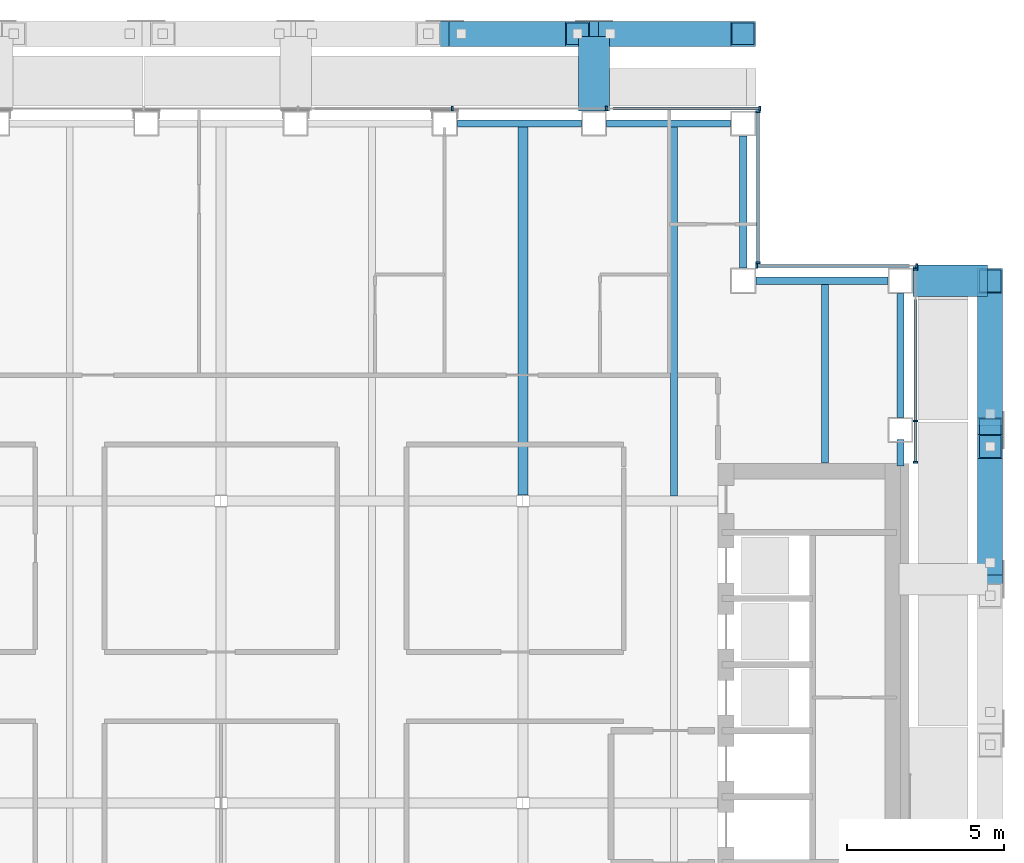
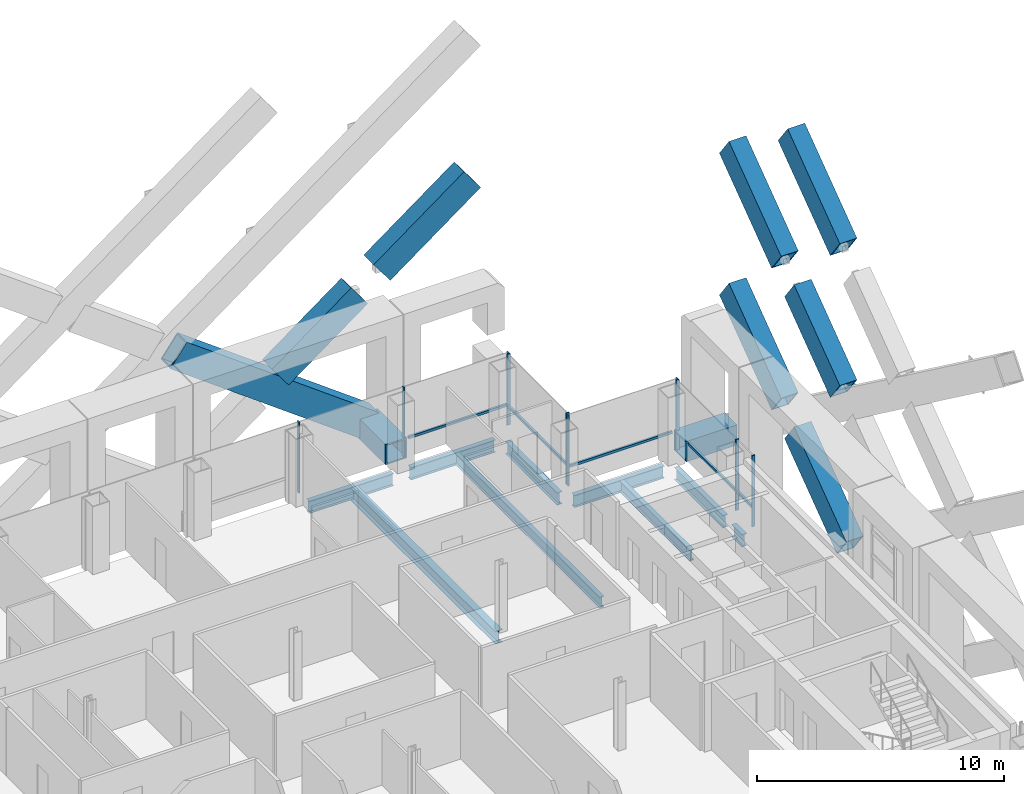
# One storey, part 11 of 25: 23 members, 11 beams, 4 elements without a shape of their own.
"""IFC4 building model written with IfcOpenShell, lengths in metres."""

from ifc_helpers import new_model, si_unit, direction, frame, origin, origin_2d, place, context, subcontext, project, spatial, rectangle, hollow_rectangle, i_section, extrude, material, material_profile, profile_set, type_object, element, aggregate, save


model = new_model("IFC4")

# Units and contexts
model_context = context("Model", 3, precision=1e-05, world=origin(), true_north=direction((0.0, 1.0)))
body_context = subcontext(model_context, "Body", "Model", "MODEL_VIEW")
ifc_project = project(units=[si_unit("LENGTHUNIT", "METRE"), si_unit("AREAUNIT", "SQUARE_METRE"), si_unit("VOLUMEUNIT", "CUBIC_METRE"), si_unit("PLANEANGLEUNIT", "RADIAN"), si_unit("MASSUNIT", "GRAM", prefix="KILO")], contexts=[model_context])

# Site, building, storey
site_placement = place(None, origin())
site = spatial("IfcSite", under=ifc_project, at=site_placement, CompositionType="ELEMENT")
building_placement = place(site_placement, origin())
building = spatial("IfcBuilding", under=site, at=building_placement, Name="Cobrizo Arcos Hotel Tower", CompositionType="ELEMENT")
storey_placement = place(building_placement, frame((0.0, 0.0, 148.0)))
storey = spatial("IfcBuildingStorey", under=building, at=storey_placement, Name="L37", CompositionType="ELEMENT", Elevation=148.0)

# Beams
ifc_material_1 = material(Name="Steel ASTM A572 Grade 50", Category="steel")
ifc_material_profile_1 = material_profile(ifc_material_1, hollow_rectangle(XDim=1.0, YDim=1.0, WallThickness=0.06005859375, at=origin_2d()), Name="BOX 1000X1000X60")
ifc_profile_set_1 = profile_set([ifc_material_profile_1], Name="Steel ASTM A572 Grade 50")
beam_type_1 = type_object("IfcBeamType", Name="BOX 1000X1000X60 brace connector strut", PredefinedType="BEAM", material=ifc_profile_set_1)
for number, where, z_axis, x_axis, name in (
    (1, (11.857177734375, 21.989990234375, 0.5), (0.0, 1.0, 0.0), (-1.0, 0.0, 0.0), "Perimeter brace stub BS1, zone Z3, north face, offset +11.86 m, L37"),
    (2, (21.989990234375, 16.60009765625, 0.5), (1.0, 0.0, 0.0), (0.0, 1.0, 0.0), "Perimeter brace stub BS1, zone Z3, east face, offset +16.60 m, L37"),
):
    element("IfcBeam", number, at=place(storey_placement, frame(where, z_axis=z_axis, x_axis=x_axis)), inside=storey, type_object=beam_type_1, Name=name, PredefinedType="BEAM", context=body_context, shape_type="SweptSolid", body=[
        extrude(hollow_rectangle(XDim=1.0, YDim=1.0, WallThickness=0.06005859375, at=origin_2d()), origin(), (0.0, 0.0, 1.0), 2.380126953125),
    ])

# Members
ifc_material_profile_2 = material_profile(ifc_material_1, hollow_rectangle(XDim=0.800048828125, YDim=1.300048828125, WallThickness=0.06005859375, at=origin_2d()), Name="BOX 800X1300X60")
ifc_profile_set_2 = profile_set([ifc_material_profile_2], Name="Steel ASTM A572 Grade 50")
member_type_1 = type_object("IfcMemberType", Name="BOX 800X1300X60 perimeter brace", PredefinedType="BRACE", material=ifc_profile_set_2)
member_1_placement = place(storey_placement, frame((24.449951171875, 7.637451171875, 14.885986328125), z_axis=(0.0, 0.804623858684, 0.593784848271), x_axis=(-1.0, 0.0, 0.0)))
element("IfcMember", 3, at=member_1_placement, inside=storey, type_object=member_type_1, Name="Perimeter brace PBR3, zone Z3, east face, no. 00d", PredefinedType="BRACE", context=body_context, shape_type="SweptSolid", body=[
    extrude(hollow_rectangle(XDim=0.800048828125, YDim=1.300048828125, WallThickness=0.06005859375, at=origin_2d()), origin(), (0.0, 0.0, 1.0), 5.244384765625),
])
member_2_placement = place(storey_placement, frame((24.449951171875, 7.637451171875, 7.885986328125), z_axis=(0.0, 0.804612164142, 0.593800694943), x_axis=(-1.0, 0.0, 0.0)))
element("IfcMember", 4, at=member_2_placement, inside=storey, type_object=member_type_1, Name="Perimeter brace PBR3, zone Z3, east face, no. 02c", PredefinedType="BRACE", context=body_context, shape_type="SweptSolid", body=[
    extrude(hollow_rectangle(XDim=0.800048828125, YDim=1.300048828125, WallThickness=0.06005859375, at=origin_2d()), origin(), (0.0, 0.0, 1.0), 4.59423828125),
])
for number, where, z_axis, x_axis, name in (
    (5, (24.449951171875, 12.38037109375, 11.385986328125), (0.0, 0.804623858684, 0.593784848271), (-1.0, 0.0, 0.0), "Perimeter brace PBR3, zone Z3, east face, no. 02d"),
    (6, (24.449951171875, 7.1142578125, 0.5), (0.0, 0.804623858684, 0.593784848271), (-1.0, 0.0, 0.0), "Perimeter brace PBR3, zone Z3, east face, no. 04"),
    (7, (24.449951171875, 12.38037109375, 4.385986328125), (0.0, 0.804623858684, 0.593784848271), (-1.0, 0.0, 0.0), "Perimeter brace PBR3, zone Z3, east face, no. 04b"),
):
    element("IfcMember", number, at=place(storey_placement, frame(where, z_axis=z_axis, x_axis=x_axis)), inside=storey, type_object=member_type_1, Name=name, PredefinedType="BRACE", context=body_context, shape_type="SweptSolid", body=[
        extrude(hollow_rectangle(XDim=0.800048828125, YDim=1.300048828125, WallThickness=0.06005859375, at=origin_2d()), origin(), (0.0, 0.0, 1.0), 5.244384765625),
    ])
member_3_placement = place(storey_placement, frame((11.857177734375, 24.449951171875, 0.5), z_axis=(-0.804628681962, 0.0, 0.593778312305), x_axis=(0.0, -1.0, 0.0)))
element("IfcMember", 8, at=member_3_placement, inside=storey, type_object=member_type_1, Name="Perimeter brace PBR3, zone Z3, north face, no. 00", PredefinedType="BRACE", context=body_context, shape_type="SweptSolid", body=[
    extrude(hollow_rectangle(XDim=0.800048828125, YDim=1.300048828125, WallThickness=0.06005859375, at=origin_2d()), origin(), (0.0, 0.0, 1.0), 11.138916015625),
])
member_4_placement = place(storey_placement, frame((7.637451171875, 24.449951171875, 4.385986328125), z_axis=(0.804612164142, 0.0, 0.593800694943), x_axis=(0.0, 1.0, 0.0)))
element("IfcMember", 9, at=member_4_placement, inside=storey, type_object=member_type_1, Name="Perimeter brace PBR3, zone Z3, north face, no. 01b", PredefinedType="BRACE", context=body_context, shape_type="SweptSolid", body=[
    extrude(hollow_rectangle(XDim=0.800048828125, YDim=1.300048828125, WallThickness=0.06005859375, at=origin_2d()), origin(), (0.0, 0.0, 1.0), 4.59423828125),
])
member_5_placement = place(storey_placement, frame((12.38037109375, 24.449951171875, 7.885986328125), z_axis=(0.804623858684, 0.0, 0.593784848271), x_axis=(0.0, 1.0, 0.0)))
element("IfcMember", 10, at=member_5_placement, inside=storey, type_object=member_type_1, Name="Perimeter brace PBR3, zone Z3, north face, no. 01c", PredefinedType="BRACE", context=body_context, shape_type="SweptSolid", body=[
    extrude(hollow_rectangle(XDim=0.800048828125, YDim=1.300048828125, WallThickness=0.06005859375, at=origin_2d()), origin(), (0.0, 0.0, 1.0), 5.244384765625),
])

# Curtain wall, members
ifc_material_2 = material(Name="Aluminium 6063-T6 anodised bronze", Category="aluminium")
curtain_wall_type = type_object("IfcCurtainWallType", Name="CW-A guest facade", PredefinedType="NOTDEFINED", material=ifc_material_2)
curtain_wall_1_placement = place(storey_placement, origin())
curtain_wall_1 = element("IfcCurtainWall", 11, at=curtain_wall_1_placement, inside=storey, type_object=curtain_wall_type, Name="CW-A L37 E face", PredefinedType="NOTDEFINED")
ifc_material_profile_3 = material_profile(ifc_material_2, rectangle(XDim=0.14990234375, YDim=0.06005859375, at=origin_2d()), Name="CW-A mullion 150x60")
ifc_profile_set_3 = profile_set([ifc_material_profile_3], Name="Aluminium 6063-T6 anodised bronze")
member_type_2 = type_object("IfcMemberType", Name="CW-A mullion 150x60", PredefinedType="MULLION", material=ifc_profile_set_3)
member_6_placement = place(storey_placement, frame((22.074951171875, 10.830078125, 0.0), z_axis=(0.0, 0.0, 1.0), x_axis=(1.0, 0.0, 0.0)))
member_6 = element("IfcMember", 12, at=member_6_placement, type_object=member_type_2, Name="CW-A mullion 1", PredefinedType="MULLION", context=body_context, shape_type="SweptSolid", body=[
    extrude(rectangle(XDim=0.14990234375, YDim=0.06005859375, at=origin_2d()), origin(), (0.0, 0.0, 1.0), 3.5),
])
member_7_placement = place(storey_placement, frame((22.074951171875, 12.142822265625, 0.0), z_axis=(0.0, 0.0, 1.0), x_axis=(1.0, 0.0, 0.0)))
member_7 = element("IfcMember", 13, at=member_7_placement, type_object=member_type_2, Name="CW-A mullion 2", PredefinedType="MULLION", context=body_context, shape_type="SweptSolid", body=[
    extrude(rectangle(XDim=0.14990234375, YDim=0.06005859375, at=origin_2d()), origin(), (0.0, 0.0, 1.0), 3.5),
])
member_8_placement = place(storey_placement, frame((22.074951171875, 16.969970703125, 0.0), z_axis=(0.0, 0.0, 1.0), x_axis=(1.0, 0.0, 0.0)))
member_8 = element("IfcMember", 14, at=member_8_placement, type_object=member_type_2, Name="CW-A mullion 3", PredefinedType="MULLION", context=body_context, shape_type="SweptSolid", body=[
    extrude(rectangle(XDim=0.14990234375, YDim=0.06005859375, at=origin_2d()), origin(), (0.0, 0.0, 1.0), 3.5),
])

curtain_wall_2_placement = place(storey_placement, origin())
curtain_wall_2 = element("IfcCurtainWall", 15, at=curtain_wall_2_placement, inside=storey, type_object=curtain_wall_type, Name="CW-A L37 N face", PredefinedType="NOTDEFINED")
member_9_placement = place(storey_placement, frame((22.1201171875, 17.074951171875, 0.0), z_axis=(0.0, 0.0, 1.0), x_axis=(0.0, 1.0, 0.0)))
member_9 = element("IfcMember", 16, at=member_9_placement, type_object=member_type_2, Name="CW-A mullion 1", PredefinedType="MULLION", context=body_context, shape_type="SweptSolid", body=[
    extrude(rectangle(XDim=0.14990234375, YDim=0.06005859375, at=origin_2d()), origin(), (0.0, 0.0, 1.0), 3.5),
])
member_10_placement = place(storey_placement, frame((17.030029296875, 17.074951171875, 0.0), z_axis=(0.0, 0.0, 1.0), x_axis=(0.0, 1.0, 0.0)))
member_10 = element("IfcMember", 17, at=member_10_placement, type_object=member_type_2, Name="CW-A mullion 2", PredefinedType="MULLION", context=body_context, shape_type="SweptSolid", body=[
    extrude(rectangle(XDim=0.14990234375, YDim=0.06005859375, at=origin_2d()), origin(), (0.0, 0.0, 1.0), 3.5),
])

curtain_wall_3_placement = place(storey_placement, origin())
curtain_wall_3 = element("IfcCurtainWall", 18, at=curtain_wall_3_placement, inside=storey, type_object=curtain_wall_type, Name="CW-A L37 E face", PredefinedType="NOTDEFINED")
member_11_placement = place(storey_placement, frame((17.074951171875, 17.179931640625, 0.0), z_axis=(0.0, 0.0, 1.0), x_axis=(1.0, 0.0, 0.0)))
member_11 = element("IfcMember", 19, at=member_11_placement, type_object=member_type_2, Name="CW-A mullion 1", PredefinedType="MULLION", context=body_context, shape_type="SweptSolid", body=[
    extrude(rectangle(XDim=0.14990234375, YDim=0.06005859375, at=origin_2d()), origin(), (0.0, 0.0, 1.0), 3.5),
])
member_12_placement = place(storey_placement, frame((17.074951171875, 21.969970703125, 0.0), z_axis=(0.0, 0.0, 1.0), x_axis=(1.0, 0.0, 0.0)))
member_12 = element("IfcMember", 20, at=member_12_placement, type_object=member_type_2, Name="CW-A mullion 2", PredefinedType="MULLION", context=body_context, shape_type="SweptSolid", body=[
    extrude(rectangle(XDim=0.14990234375, YDim=0.06005859375, at=origin_2d()), origin(), (0.0, 0.0, 1.0), 3.5),
])

curtain_wall_4_placement = place(storey_placement, origin())
curtain_wall_4 = element("IfcCurtainWall", 21, at=curtain_wall_4_placement, inside=storey, type_object=curtain_wall_type, Name="CW-A L37 N face", PredefinedType="NOTDEFINED")
member_13_placement = place(storey_placement, frame((17.1201171875, 22.074951171875, 0.0), z_axis=(0.0, 0.0, 1.0), x_axis=(0.0, 1.0, 0.0)))
member_13 = element("IfcMember", 22, at=member_13_placement, type_object=member_type_2, Name="CW-A mullion 1", PredefinedType="MULLION", context=body_context, shape_type="SweptSolid", body=[
    extrude(rectangle(XDim=0.14990234375, YDim=0.06005859375, at=origin_2d()), origin(), (0.0, 0.0, 1.0), 3.5),
])
member_14_placement = place(storey_placement, frame((12.25, 22.074951171875, 0.0), z_axis=(0.0, 0.0, 1.0), x_axis=(0.0, 1.0, 0.0)))
member_14 = element("IfcMember", 23, at=member_14_placement, type_object=member_type_2, Name="CW-A mullion 2", PredefinedType="MULLION", context=body_context, shape_type="SweptSolid", body=[
    extrude(rectangle(XDim=0.14990234375, YDim=0.06005859375, at=origin_2d()), origin(), (0.0, 0.0, 1.0), 3.5),
])
member_15_placement = place(storey_placement, frame((7.35009765625, 22.074951171875, 0.0), z_axis=(0.0, 0.0, 1.0), x_axis=(0.0, 1.0, 0.0)))
member_15 = element("IfcMember", 24, at=member_15_placement, type_object=member_type_2, Name="CW-A mullion 3", PredefinedType="MULLION", context=body_context, shape_type="SweptSolid", body=[
    extrude(rectangle(XDim=0.14990234375, YDim=0.06005859375, at=origin_2d()), origin(), (0.0, 0.0, 1.0), 3.5),
])

# Member
ifc_material_profile_4 = material_profile(ifc_material_2, rectangle(XDim=0.10009765625, YDim=0.1201171875, at=origin_2d()), Name="CW-A transom 120x100")
ifc_profile_set_4 = profile_set([ifc_material_profile_4], Name="Aluminium 6063-T6 anodised bronze")
member_type_3 = type_object("IfcMemberType", Name="CW-A transom 120x100", PredefinedType="USERDEFINED", material=ifc_profile_set_4)
member_16_placement = place(storey_placement, frame((22.074951171875, 10.860107421875, 0.929931640625), z_axis=(0.0, 1.0, 0.0), x_axis=(-1.0, 0.0, 0.0)))
member_16 = element("IfcMember", 25, at=member_16_placement, type_object=member_type_3, Name="CW-A transom 1347", ObjectType="TRANSOM", PredefinedType="USERDEFINED", context=body_context, shape_type="SweptSolid", body=[
    extrude(rectangle(XDim=0.10009765625, YDim=0.1201171875, at=origin_2d()), origin(), (0.0, 0.0, 1.0), 1.252685546875),
])

member_17_placement = place(storey_placement, frame((22.074951171875, 12.1728515625, 0.929931640625), z_axis=(0.0, 1.0, 0.0), x_axis=(-1.0, 0.0, 0.0)))
member_17 = element("IfcMember", 26, at=member_17_placement, type_object=member_type_3, Name="CW-A transom 1348", ObjectType="TRANSOM", PredefinedType="USERDEFINED", context=body_context, shape_type="SweptSolid", body=[
    extrude(rectangle(XDim=0.10009765625, YDim=0.1201171875, at=origin_2d()), origin(), (0.0, 0.0, 1.0), 3.8271484375),
])

aggregate(curtain_wall_1, [member_6, member_7, member_8, member_16, member_17])

member_18_placement = place(storey_placement, frame((21.889892578125, 17.074951171875, 0.929931640625), z_axis=(-1.0, 0.0, 0.0), x_axis=(0.0, -1.0, 0.0)))
member_18 = element("IfcMember", 27, at=member_18_placement, type_object=member_type_3, Name="CW-A transom 1349", ObjectType="TRANSOM", PredefinedType="USERDEFINED", context=body_context, shape_type="SweptSolid", body=[
    extrude(rectangle(XDim=0.10009765625, YDim=0.1201171875, at=origin_2d()), origin(), (0.0, 0.0, 1.0), 4.829833984375),
])

aggregate(curtain_wall_2, [member_9, member_10, member_18])

member_19_placement = place(storey_placement, frame((17.074951171875, 17.2099609375, 0.929931640625), z_axis=(0.0, 1.0, 0.0), x_axis=(-1.0, 0.0, 0.0)))
member_19 = element("IfcMember", 28, at=member_19_placement, type_object=member_type_3, Name="CW-A transom 1350", ObjectType="TRANSOM", PredefinedType="USERDEFINED", context=body_context, shape_type="SweptSolid", body=[
    extrude(rectangle(XDim=0.10009765625, YDim=0.1201171875, at=origin_2d()), origin(), (0.0, 0.0, 1.0), 4.72998046875),
])

aggregate(curtain_wall_3, [member_11, member_12, member_19])

member_20_placement = place(storey_placement, frame((17.090087890625, 22.074951171875, 0.929931640625), z_axis=(-1.0, 0.0, 0.0), x_axis=(0.0, -1.0, 0.0)))
member_20 = element("IfcMember", 29, at=member_20_placement, type_object=member_type_3, Name="CW-A transom 1351", ObjectType="TRANSOM", PredefinedType="USERDEFINED", context=body_context, shape_type="SweptSolid", body=[
    extrude(rectangle(XDim=0.10009765625, YDim=0.1201171875, at=origin_2d()), origin(), (0.0, 0.0, 1.0), 4.633056640625),
])

aggregate(curtain_wall_4, [member_13, member_14, member_15, member_20])

# Beams
ifc_material_3 = material(Name="Steel ASTM A992 Grade 50", Category="steel")
ifc_material_profile_5 = material_profile(ifc_material_3, i_section(OverallWidth=0.209228515625, OverallDepth=0.533447265625, WebThickness=0.01025390625, FlangeThickness=0.015625, at=origin_2d()), Name="W21X62")
ifc_profile_set_5 = profile_set([ifc_material_profile_5], Name="Steel ASTM A992 Grade 50")
beam_type_2 = type_object("IfcBeamType", Name="W21X62 joist", PredefinedType="JOIST", material=ifc_profile_set_5)
beam_1_placement = place(storey_placement, frame((14.39990234375, 9.763916015625, -0.416748046875), z_axis=(0.0, 1.0, 0.0), x_axis=(-1.0, 0.0, 0.0)))
element("IfcBeam", 30, at=beam_1_placement, inside=storey, type_object=beam_type_2, Name="Floor joist J1, L37, no. 018", PredefinedType="JOIST", context=body_context, shape_type="SweptSolid", body=[
    extrude(i_section(OverallWidth=0.209228515625, OverallDepth=0.533447265625, WebThickness=0.01025390625, FlangeThickness=0.015625, at=origin_2d()), origin(), (0.0, 0.0, 1.0), 11.74609375),
])
beam_2_placement = place(storey_placement, frame((19.199951171875, 10.81005859375, -0.416748046875), z_axis=(0.0, 1.0, 0.0), x_axis=(-1.0, 0.0, 0.0)))
element("IfcBeam", 31, at=beam_2_placement, inside=storey, type_object=beam_type_2, Name="Floor joist J1, L37, no. 020", PredefinedType="JOIST", context=body_context, shape_type="SweptSolid", body=[
    extrude(i_section(OverallWidth=0.209228515625, OverallDepth=0.533447265625, WebThickness=0.01025390625, FlangeThickness=0.015625, at=origin_2d()), origin(), (0.0, 0.0, 1.0), 5.699951171875),
])
ifc_material_profile_6 = material_profile(ifc_material_3, i_section(OverallWidth=0.32763671875, OverallDepth=0.622314453125, WebThickness=0.015380859375, FlangeThickness=0.0244140625, at=origin_2d()), Name="W24X131")
ifc_profile_set_6 = profile_set([ifc_material_profile_6], Name="Steel ASTM A992 Grade 50")
beam_type_3 = type_object("IfcBeamType", Name="W24X131 girder", PredefinedType="BEAM", material=ifc_profile_set_6)
beam_3_placement = place(storey_placement, frame((9.60009765625, 9.78662109375, -0.461181640625), z_axis=(0.0, 1.0, 0.0), x_axis=(-1.0, 0.0, 0.0)))
element("IfcBeam", 32, at=beam_3_placement, inside=storey, type_object=beam_type_3, Name="Floor girder G1, L37, no. 024", PredefinedType="BEAM", context=body_context, shape_type="SweptSolid", body=[
    extrude(i_section(OverallWidth=0.32763671875, OverallDepth=0.622314453125, WebThickness=0.015380859375, FlangeThickness=0.0244140625, at=origin_2d()), origin(), (0.0, 0.0, 1.0), 11.723388671875),
])
ifc_material_profile_7 = material_profile(ifc_material_3, i_section(OverallWidth=0.228271484375, OverallDepth=0.607177734375, WebThickness=0.01123046875, FlangeThickness=0.017333984375, at=origin_2d()), Name="W24X76")
ifc_profile_set_7 = profile_set([ifc_material_profile_7], Name="Steel ASTM A992 Grade 50")
beam_type_4 = type_object("IfcBeamType", Name="W24X76 spandrel", PredefinedType="SPANDREL", material=ifc_profile_set_7)
beam_4_placement = place(storey_placement, frame((21.60009765625, 10.7099609375, -0.45361328125), z_axis=(0.0, 1.0, 0.0), x_axis=(-1.0, 0.0, 0.0)))
element("IfcBeam", 33, at=beam_4_placement, inside=storey, type_object=beam_type_4, Name="Spandrel beam W24X76, L37, no. 012", PredefinedType="SPANDREL", context=body_context, shape_type="SweptSolid", body=[
    extrude(i_section(OverallWidth=0.228271484375, OverallDepth=0.607177734375, WebThickness=0.01123046875, FlangeThickness=0.017333984375, at=origin_2d()), origin(), (0.0, 0.0, 1.0), 0.846923828125),
])
beam_5_placement = place(storey_placement, frame((21.60009765625, 12.257080078125, -0.45361328125), z_axis=(0.0, 1.0, 0.0), x_axis=(-1.0, 0.0, 0.0)))
element("IfcBeam", 34, at=beam_5_placement, inside=storey, type_object=beam_type_4, Name="Spandrel beam W24X76, L37, no. 013", PredefinedType="SPANDREL", context=body_context, shape_type="SweptSolid", body=[
    extrude(i_section(OverallWidth=0.228271484375, OverallDepth=0.607177734375, WebThickness=0.01123046875, FlangeThickness=0.017333984375, at=origin_2d()), origin(), (0.0, 0.0, 1.0), 3.94287109375),
])
for number, where, z_axis, x_axis, name in (
    (35, (21.199951171875, 16.60009765625, -0.45361328125), (-1.0, 0.0, 0.0), (0.0, -1.0, 0.0), "Spandrel beam W24X76, L37, no. 014"),
    (36, (16.60009765625, 17.0, -0.45361328125), (0.0, 1.0, 0.0), (-1.0, 0.0, 0.0), "Spandrel beam W24X76, L37, no. 015"),
):
    element("IfcBeam", number, at=place(storey_placement, frame(where, z_axis=z_axis, x_axis=x_axis)), inside=storey, type_object=beam_type_4, Name=name, PredefinedType="SPANDREL", context=body_context, shape_type="SweptSolid", body=[
        extrude(i_section(OverallWidth=0.228271484375, OverallDepth=0.607177734375, WebThickness=0.01123046875, FlangeThickness=0.017333984375, at=origin_2d()), origin(), (0.0, 0.0, 1.0), 4.199951171875),
    ])
beam_6_placement = place(storey_placement, frame((16.199951171875, 21.60009765625, -0.45361328125), z_axis=(-1.0, 0.0, 0.0), x_axis=(0.0, -1.0, 0.0)))
element("IfcBeam", 37, at=beam_6_placement, inside=storey, type_object=beam_type_4, Name="Spandrel beam W24X76, L37, no. 016", PredefinedType="SPANDREL", context=body_context, shape_type="SweptSolid", body=[
    extrude(i_section(OverallWidth=0.228271484375, OverallDepth=0.607177734375, WebThickness=0.01123046875, FlangeThickness=0.017333984375, at=origin_2d()), origin(), (0.0, 0.0, 1.0), 3.94287109375),
])
beam_7_placement = place(storey_placement, frame((11.45703125, 21.60009765625, -0.45361328125), z_axis=(-1.0, 0.0, 0.0), x_axis=(0.0, -1.0, 0.0)))
element("IfcBeam", 38, at=beam_7_placement, inside=storey, type_object=beam_type_4, Name="Spandrel beam W24X76, L37, no. 017", PredefinedType="SPANDREL", context=body_context, shape_type="SweptSolid", body=[
    extrude(i_section(OverallWidth=0.228271484375, OverallDepth=0.607177734375, WebThickness=0.01123046875, FlangeThickness=0.017333984375, at=origin_2d()), origin(), (0.0, 0.0, 1.0), 3.943115234375),
])

save(model, "model.ifc")
